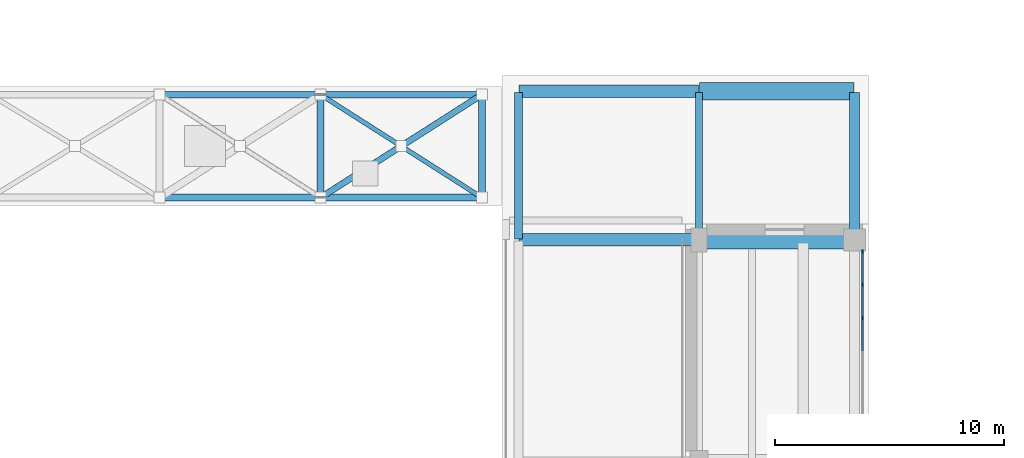
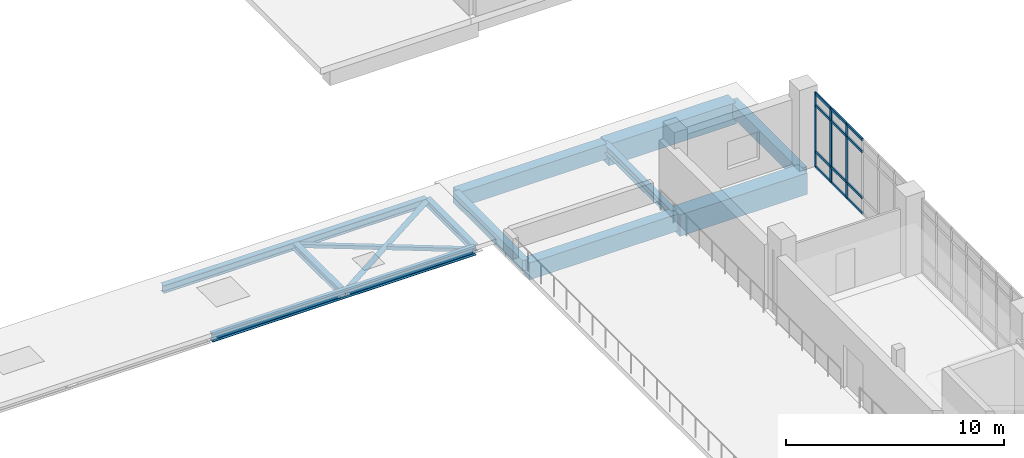
# One storey, part 16 of 75: 18 members, 11 beams, 1 element without a shape of its own.
"""IFC4 building model written with IfcOpenShell, lengths in metres."""

from ifc_helpers import new_model, si_unit, direction, frame, origin, origin_2d, place, context, subcontext, project, spatial, rectangle, hollow_rectangle, hollow_circle, i_section, extrude, material, material_profile, profile_set, type_object, element, aggregate, save


model = new_model("IFC4")

# Units and contexts
model_context = context("Model", 3, precision=1e-05, world=origin(), true_north=direction((0.0, 1.0)))
body_context = subcontext(model_context, "Body", "Model", "MODEL_VIEW")
ifc_project = project(units=[si_unit("LENGTHUNIT", "METRE"), si_unit("AREAUNIT", "SQUARE_METRE"), si_unit("VOLUMEUNIT", "CUBIC_METRE"), si_unit("PLANEANGLEUNIT", "RADIAN"), si_unit("MASSUNIT", "GRAM", prefix="KILO")], contexts=[model_context])

# Site, building, storey
site_placement = place(None, origin())
site = spatial("IfcSite", under=ifc_project, at=site_placement, CompositionType="ELEMENT")
building_placement = place(site_placement, origin())
building = spatial("IfcBuilding", under=site, at=building_placement, Name="Soyqirgoq Riverine Aquarium", CompositionType="ELEMENT")
storey_placement = place(building_placement, frame((0.0, 0.0, 10.199951171875)))
storey = spatial("IfcBuildingStorey", under=building, at=storey_placement, Name="L03", CompositionType="ELEMENT", Elevation=10.199951171875)

# Beams
ifc_material_1 = material(Name="Concrete C40/50", Category="concrete")
ifc_material_profile_1 = material_profile(ifc_material_1, rectangle(XDim=0.35009765625, YDim=0.60009765625, at=origin_2d()), Name="RC 350x600")
ifc_profile_set_1 = profile_set([ifc_material_profile_1], Name="Concrete C40/50")
beam_type_1 = type_object("IfcBeamType", Name="Beam_RC_350x600", PredefinedType="JOIST", material=ifc_profile_set_1)
beam_1_placement = place(storey_placement, frame((114.699951171875, 38.35009765625, -0.579833984375), z_axis=(0.0, 1.0, 0.0), x_axis=(-1.0, 0.0, 0.0)))
element("IfcBeam", 1, at=beam_1_placement, inside=storey, type_object=beam_type_1, Name="V6 L03 North-South Frame Beam 1162", PredefinedType="JOIST", context=body_context, shape_type="SweptSolid", body=[
    extrude(rectangle(XDim=0.35009765625, YDim=0.60009765625, at=origin_2d()), origin(), (0.0, 0.0, 1.0), 6.39990234375),
])
ifc_material_2 = material(Name="Concrete C40/50", Category="concrete")
ifc_material_profile_2 = material_profile(ifc_material_2, rectangle(XDim=0.449951171875, YDim=0.75, at=origin_2d()), Name="RC 450x750")
ifc_profile_set_2 = profile_set([ifc_material_profile_2], Name="Concrete C40/50")
beam_type_2 = type_object("IfcBeamType", Name="Beam_RC_450x750", PredefinedType="BEAM", material=ifc_profile_set_2)
beam_2_placement = place(storey_placement, frame((129.39990234375, 38.35009765625, -0.655029296875), z_axis=(0.0, 1.0, 0.0), x_axis=(-1.0, 0.0, 0.0)))
element("IfcBeam", 2, at=beam_2_placement, inside=storey, type_object=beam_type_2, Name="V6 L03 North-South Frame Beam 1179", PredefinedType="BEAM", context=body_context, shape_type="SweptSolid", body=[
    extrude(rectangle(XDim=0.449951171875, YDim=0.75, at=origin_2d()), origin(), (0.0, 0.0, 1.0), 6.39990234375),
])

# Curtain wall, members
ifc_material_3 = material(Name="Anodised aluminium thermally broken gallery curtain wall", Category="aluminium")
curtain_wall_type = type_object("IfcCurtainWallType", Name="CW_Pavilion_Ribbon", PredefinedType="NOTDEFINED", material=ifc_material_3)
curtain_wall_placement = place(storey_placement, origin())
curtain_wall = element("IfcCurtainWall", 3, at=curtain_wall_placement, inside=storey, type_object=curtain_wall_type, Name="V6 L03 Curtain Wall 118", PredefinedType="NOTDEFINED")
ifc_material_4 = material(Name="Anodised aluminium 6063-T6", Category="aluminium")
ifc_material_profile_3 = material_profile(ifc_material_4, rectangle(XDim=0.06494140625, YDim=0.179931640625, at=origin_2d()), Name="ALU-M 65x180")
ifc_profile_set_3 = profile_set([ifc_material_profile_3], Name="Anodised aluminium 6063-T6")
member_type_1 = type_object("IfcMemberType", Name="CWMullion_65x180", PredefinedType="MULLION", material=ifc_profile_set_3)
member_1_placement = place(storey_placement, frame((129.75, 37.7724609375, 0.0), z_axis=(0.0, 0.0, 1.0), x_axis=(1.0, 0.0, 0.0)))
member_1 = element("IfcMember", 4, at=member_1_placement, type_object=member_type_1, Name="CW-05 mullion 1", PredefinedType="MULLION", context=body_context, shape_type="SweptSolid", body=[
    extrude(rectangle(XDim=0.06494140625, YDim=0.179931640625, at=origin_2d()), origin(), (0.0, 0.0, 1.0), 4.18994140625),
])
member_2_placement = place(storey_placement, frame((129.75, 36.3408203125, 0.0), z_axis=(0.0, 0.0, 1.0), x_axis=(1.0, 0.0, 0.0)))
member_2 = element("IfcMember", 5, at=member_2_placement, type_object=member_type_1, Name="CW-05 mullion 2", PredefinedType="MULLION", context=body_context, shape_type="SweptSolid", body=[
    extrude(rectangle(XDim=0.06494140625, YDim=0.179931640625, at=origin_2d()), origin(), (0.0, 0.0, 1.0), 4.18994140625),
])
member_3_placement = place(storey_placement, frame((129.75, 34.876708984375, 0.0), z_axis=(0.0, 0.0, 1.0), x_axis=(1.0, 0.0, 0.0)))
member_3 = element("IfcMember", 6, at=member_3_placement, type_object=member_type_1, Name="CW-05 mullion 3", PredefinedType="MULLION", context=body_context, shape_type="SweptSolid", body=[
    extrude(rectangle(XDim=0.06494140625, YDim=0.179931640625, at=origin_2d()), origin(), (0.0, 0.0, 1.0), 4.18994140625),
])
ifc_material_5 = material(Name="Anodised aluminium 6063-T6", Category="aluminium")
ifc_material_profile_4 = material_profile(ifc_material_5, rectangle(XDim=0.074951171875, YDim=0.14990234375, at=origin_2d()), Name="ALU-T 75x150")
ifc_profile_set_4 = profile_set([ifc_material_profile_4], Name="Anodised aluminium 6063-T6")
member_type_2 = type_object("IfcMemberType", Name="CWTransom_75x150", PredefinedType="USERDEFINED", material=ifc_profile_set_4)
member_4_placement = place(storey_placement, frame((129.75, 37.739990234375, 0.03759765625), z_axis=(0.0, -1.0, 0.0), x_axis=(1.0, 0.0, 0.0)))
member_4 = element("IfcMember", 7, at=member_4_placement, type_object=member_type_2, Name="CW-05 transom 1.1", ObjectType="TRANSOM", PredefinedType="USERDEFINED", context=body_context, shape_type="SweptSolid", body=[
    extrude(rectangle(XDim=0.074951171875, YDim=0.14990234375, at=origin_2d()), origin(), (0.0, 0.0, 1.0), 1.36669921875),
])
member_5_placement = place(storey_placement, frame((129.75, 37.739990234375, 0.900146484375), z_axis=(0.0, -1.0, 0.0), x_axis=(1.0, 0.0, 0.0)))
member_5 = element("IfcMember", 8, at=member_5_placement, type_object=member_type_2, Name="CW-05 transom 1.2", ObjectType="TRANSOM", PredefinedType="USERDEFINED", context=body_context, shape_type="SweptSolid", body=[
    extrude(rectangle(XDim=0.074951171875, YDim=0.14990234375, at=origin_2d()), origin(), (0.0, 0.0, 1.0), 1.36669921875),
])
member_6_placement = place(storey_placement, frame((129.75, 37.739990234375, 3.489990234375), z_axis=(0.0, -1.0, 0.0), x_axis=(1.0, 0.0, 0.0)))
member_6 = element("IfcMember", 9, at=member_6_placement, type_object=member_type_2, Name="CW-05 transom 1.3", ObjectType="TRANSOM", PredefinedType="USERDEFINED", context=body_context, shape_type="SweptSolid", body=[
    extrude(rectangle(XDim=0.074951171875, YDim=0.14990234375, at=origin_2d()), origin(), (0.0, 0.0, 1.0), 1.36669921875),
])
member_7_placement = place(storey_placement, frame((129.75, 37.739990234375, 4.152587890625), z_axis=(0.0, -1.0, 0.0), x_axis=(1.0, 0.0, 0.0)))
member_7 = element("IfcMember", 10, at=member_7_placement, type_object=member_type_2, Name="CW-05 transom 1.4", ObjectType="TRANSOM", PredefinedType="USERDEFINED", context=body_context, shape_type="SweptSolid", body=[
    extrude(rectangle(XDim=0.074951171875, YDim=0.14990234375, at=origin_2d()), origin(), (0.0, 0.0, 1.0), 1.36669921875),
])
member_8_placement = place(storey_placement, frame((129.75, 36.308349609375, 0.03759765625), z_axis=(0.0, -1.0, 0.0), x_axis=(1.0, 0.0, 0.0)))
member_8 = element("IfcMember", 11, at=member_8_placement, type_object=member_type_2, Name="CW-05 transom 2.1", ObjectType="TRANSOM", PredefinedType="USERDEFINED", context=body_context, shape_type="SweptSolid", body=[
    extrude(rectangle(XDim=0.074951171875, YDim=0.14990234375, at=origin_2d()), origin(), (0.0, 0.0, 1.0), 1.399169921875),
])
member_9_placement = place(storey_placement, frame((129.75, 36.308349609375, 0.900146484375), z_axis=(0.0, -1.0, 0.0), x_axis=(1.0, 0.0, 0.0)))
member_9 = element("IfcMember", 12, at=member_9_placement, type_object=member_type_2, Name="CW-05 transom 2.2", ObjectType="TRANSOM", PredefinedType="USERDEFINED", context=body_context, shape_type="SweptSolid", body=[
    extrude(rectangle(XDim=0.074951171875, YDim=0.14990234375, at=origin_2d()), origin(), (0.0, 0.0, 1.0), 1.399169921875),
])
member_10_placement = place(storey_placement, frame((129.75, 36.308349609375, 3.489990234375), z_axis=(0.0, -1.0, 0.0), x_axis=(1.0, 0.0, 0.0)))
member_10 = element("IfcMember", 13, at=member_10_placement, type_object=member_type_2, Name="CW-05 transom 2.3", ObjectType="TRANSOM", PredefinedType="USERDEFINED", context=body_context, shape_type="SweptSolid", body=[
    extrude(rectangle(XDim=0.074951171875, YDim=0.14990234375, at=origin_2d()), origin(), (0.0, 0.0, 1.0), 1.399169921875),
])
member_11_placement = place(storey_placement, frame((129.75, 36.308349609375, 4.152587890625), z_axis=(0.0, -1.0, 0.0), x_axis=(1.0, 0.0, 0.0)))
member_11 = element("IfcMember", 14, at=member_11_placement, type_object=member_type_2, Name="CW-05 transom 2.4", ObjectType="TRANSOM", PredefinedType="USERDEFINED", context=body_context, shape_type="SweptSolid", body=[
    extrude(rectangle(XDim=0.074951171875, YDim=0.14990234375, at=origin_2d()), origin(), (0.0, 0.0, 1.0), 1.399169921875),
])
member_12_placement = place(storey_placement, frame((129.75, 34.84423828125, 0.03759765625), z_axis=(0.0, -1.0, 0.0), x_axis=(1.0, 0.0, 0.0)))
member_12 = element("IfcMember", 15, at=member_12_placement, type_object=member_type_2, Name="CW-05 transom 3.1", ObjectType="TRANSOM", PredefinedType="USERDEFINED", context=body_context, shape_type="SweptSolid", body=[
    extrude(rectangle(XDim=0.074951171875, YDim=0.14990234375, at=origin_2d()), origin(), (0.0, 0.0, 1.0), 1.399169921875),
])
member_13_placement = place(storey_placement, frame((129.75, 34.84423828125, 0.900146484375), z_axis=(0.0, -1.0, 0.0), x_axis=(1.0, 0.0, 0.0)))
member_13 = element("IfcMember", 16, at=member_13_placement, type_object=member_type_2, Name="CW-05 transom 3.2", ObjectType="TRANSOM", PredefinedType="USERDEFINED", context=body_context, shape_type="SweptSolid", body=[
    extrude(rectangle(XDim=0.074951171875, YDim=0.14990234375, at=origin_2d()), origin(), (0.0, 0.0, 1.0), 1.399169921875),
])
member_14_placement = place(storey_placement, frame((129.75, 34.84423828125, 3.489990234375), z_axis=(0.0, -1.0, 0.0), x_axis=(1.0, 0.0, 0.0)))
member_14 = element("IfcMember", 17, at=member_14_placement, type_object=member_type_2, Name="CW-05 transom 3.3", ObjectType="TRANSOM", PredefinedType="USERDEFINED", context=body_context, shape_type="SweptSolid", body=[
    extrude(rectangle(XDim=0.074951171875, YDim=0.14990234375, at=origin_2d()), origin(), (0.0, 0.0, 1.0), 1.399169921875),
])
member_15_placement = place(storey_placement, frame((129.75, 34.84423828125, 4.152587890625), z_axis=(0.0, -1.0, 0.0), x_axis=(1.0, 0.0, 0.0)))
member_15 = element("IfcMember", 18, at=member_15_placement, type_object=member_type_2, Name="CW-05 transom 3.4", ObjectType="TRANSOM", PredefinedType="USERDEFINED", context=body_context, shape_type="SweptSolid", body=[
    extrude(rectangle(XDim=0.074951171875, YDim=0.14990234375, at=origin_2d()), origin(), (0.0, 0.0, 1.0), 1.399169921875),
])
aggregate(curtain_wall, [member_1, member_2, member_3, member_4, member_5, member_6, member_7, member_8, member_9, member_10, member_11, member_12, member_13, member_14, member_15])

# Member
ifc_material_6 = material(Name="Structural steel S355", Category="steel")
ifc_material_profile_5 = material_profile(ifc_material_6, hollow_circle(Radius=0.136474609375, WallThickness=0.012451171875, at=origin_2d()), Name="CHS 273x12.5")
ifc_profile_set_5 = profile_set([ifc_material_profile_5], Name="Structural steel S355")
member_type_3 = type_object("IfcMemberType", Name="Diag_CHS273", PredefinedType="RAFTER", material=ifc_profile_set_5)
member_16_placement = place(storey_placement, frame((106.050048828125, 40.14990234375, -0.22998046875), z_axis=(0.842923899579, 0.538032805244, 0.0), x_axis=(-0.538032805244, 0.842923899579, 0.0)))
element("IfcMember", 19, at=member_16_placement, inside=storey, type_object=member_type_3, Name="BR-1 Roof Diaphragm Continuous X-Brace 0016", PredefinedType="RAFTER", context=body_context, shape_type="SweptSolid", body=[
    extrude(hollow_circle(Radius=0.136474609375, WallThickness=0.012451171875, at=origin_2d()), origin(), (0.0, 0.0, 1.0), 8.36376953125),
])

# Beams
ifc_material_7 = material(Name="Concrete C40/50", Category="concrete")
ifc_material_profile_6 = material_profile(ifc_material_7, rectangle(XDim=0.550048828125, YDim=0.85009765625, at=origin_2d()), Name="RC 550x850")
ifc_profile_set_6 = profile_set([ifc_material_profile_6], Name="Concrete C40/50")
beam_type_3 = type_object("IfcBeamType", Name="Girder_RC_550x850", PredefinedType="BEAM", material=ifc_profile_set_6)
beam_3_placement = place(storey_placement, frame((114.719970703125, 44.800048828125, -0.704833984375), z_axis=(1.0, 0.0, 0.0), x_axis=(0.0, 1.0, 0.0)))
element("IfcBeam", 20, at=beam_3_placement, inside=storey, type_object=beam_type_3, Name="V6 L03 East-West Frame Girder 1164", PredefinedType="BEAM", context=body_context, shape_type="SweptSolid", body=[
    extrude(rectangle(XDim=0.550048828125, YDim=0.85009765625, at=origin_2d()), origin(), (0.0, 0.0, 1.0), 7.860107421875),
])
ifc_material_8 = material(Name="Concrete C40/50", Category="concrete")
ifc_material_profile_7 = material_profile(ifc_material_8, rectangle(XDim=0.550048828125, YDim=0.949951171875, at=origin_2d()), Name="RC 550x950")
ifc_profile_set_7 = profile_set([ifc_material_profile_7], Name="Concrete C40/50")
beam_type_4 = type_object("IfcBeamType", Name="Girder_RC_550x950", PredefinedType="BEAM", material=ifc_profile_set_7)
beam_4_placement = place(storey_placement, frame((114.719970703125, 38.300048828125, -0.7548828125), z_axis=(1.0, 0.0, 0.0), x_axis=(0.0, 1.0, 0.0)))
element("IfcBeam", 21, at=beam_4_placement, inside=storey, type_object=beam_type_4, Name="V6 L03 East-West Frame Girder 1163", PredefinedType="BEAM", context=body_context, shape_type="SweptSolid", body=[
    extrude(rectangle(XDim=0.550048828125, YDim=0.949951171875, at=origin_2d()), origin(), (0.0, 0.0, 1.0), 7.860107421875),
])
ifc_material_9 = material(Name="Concrete C40/50", Category="concrete")
ifc_material_profile_8 = material_profile(ifc_material_9, rectangle(XDim=0.75, YDim=1.199951171875, at=origin_2d()), Name="RC 750x1200")
ifc_profile_set_8 = profile_set([ifc_material_profile_8], Name="Concrete C40/50")
beam_type_5 = type_object("IfcBeamType", Name="Girder_RC_750x1200", PredefinedType="BEAM", material=ifc_profile_set_8)
beam_5_placement = place(storey_placement, frame((122.6201171875, 44.800048828125, -0.8798828125), z_axis=(1.0, 0.0, 0.0), x_axis=(0.0, 1.0, 0.0)))
element("IfcBeam", 22, at=beam_5_placement, inside=storey, type_object=beam_type_5, Name="V6 L03 East-West Frame Girder 1174", PredefinedType="BEAM", context=body_context, shape_type="SweptSolid", body=[
    extrude(rectangle(XDim=0.75, YDim=1.199951171875, at=origin_2d()), origin(), (0.0, 0.0, 1.0), 6.759765625),
])
ifc_material_10 = material(Name="Concrete C40/50", Category="concrete")
ifc_material_profile_9 = material_profile(ifc_material_10, rectangle(XDim=0.800048828125, YDim=1.199951171875, at=origin_2d()), Name="RC 800x1200")
ifc_profile_set_9 = profile_set([ifc_material_profile_9], Name="Concrete C40/50")
beam_type_6 = type_object("IfcBeamType", Name="Girder_RC_800x1200", PredefinedType="BEAM", material=ifc_profile_set_9)
beam_6_placement = place(storey_placement, frame((122.6201171875, 38.300048828125, -0.8798828125), z_axis=(1.0, 0.0, 0.0), x_axis=(0.0, 1.0, 0.0)))
element("IfcBeam", 23, at=beam_6_placement, inside=storey, type_object=beam_type_6, Name="V6 L03 East-West Frame Girder 1173", PredefinedType="BEAM", context=body_context, shape_type="SweptSolid", body=[
    extrude(rectangle(XDim=0.800048828125, YDim=1.199951171875, at=origin_2d()), origin(), (0.0, 0.0, 1.0), 6.759765625),
])
ifc_material_11 = material(Name="Structural steel S355", Category="steel")
ifc_material_profile_10 = material_profile(ifc_material_11, i_section(OverallWidth=0.300048828125, OverallDepth=0.389892578125, WebThickness=0.010986328125, FlangeThickness=0.01904296875, FilletRadius=0.027099609375, at=origin_2d()), Name="HEA 400")
ifc_profile_set_10 = profile_set([ifc_material_profile_10], Name="Structural steel S355")
beam_type_7 = type_object("IfcBeamType", Name="SteelBeam_HEA400", PredefinedType="BEAM", material=ifc_profile_set_10)
for number, where, z_axis, x_axis, name in (
    (24, (106.050048828125, 40.199951171875, -0.195068359375), (0.0, 1.0, 0.0), (-1.0, 0.0, 0.0), "BR-1 L03 Bridge Mid-Bay Roof Tie 1441"),
    (25, (113.10009765625, 40.199951171875, -0.195068359375), (0.0, 1.0, 0.0), (-1.0, 0.0, 0.0), "BR-1 L03 Bridge Roof Cross Beam 1449"),
):
    element("IfcBeam", number, at=place(storey_placement, frame(where, z_axis=z_axis, x_axis=x_axis)), inside=storey, type_object=beam_type_7, Name=name, PredefinedType="BEAM", context=body_context, shape_type="SweptSolid", body=[
        extrude(i_section(OverallWidth=0.300048828125, OverallDepth=0.389892578125, WebThickness=0.010986328125, FlangeThickness=0.01904296875, FilletRadius=0.027099609375, at=origin_2d()), origin(), (0.0, 0.0, 1.0), 4.400146484375),
    ])
ifc_material_12 = material(Name="Structural steel S355", Category="steel")
ifc_material_profile_11 = material_profile(ifc_material_12, i_section(OverallWidth=0.300048828125, OverallDepth=0.43994140625, WebThickness=0.011474609375, FlangeThickness=0.02099609375, FilletRadius=0.027099609375, at=origin_2d()), Name="HEA 450")
ifc_profile_set_11 = profile_set([ifc_material_profile_11], Name="Structural steel S355")
beam_type_8 = type_object("IfcBeamType", Name="SteelBeam_HEA450", PredefinedType="BEAM", material=ifc_profile_set_11)
for number, where, z_axis, x_axis, name in (
    (26, (99.050048828125, 40.14990234375, -0.219970703125), (1.0, 0.0, 0.0), (0.0, 1.0, 0.0), "BR-1 L03 Bridge Roof Chord Beam 1432"),
    (27, (99.050048828125, 44.64990234375, -0.219970703125), (1.0, 0.0, 0.0), (0.0, 1.0, 0.0), "BR-1 L03 Bridge Roof Chord Beam 1438"),
):
    element("IfcBeam", number, at=place(storey_placement, frame(where, z_axis=z_axis, x_axis=x_axis)), inside=storey, type_object=beam_type_8, Name=name, PredefinedType="BEAM", context=body_context, shape_type="SweptSolid", body=[
        extrude(i_section(OverallWidth=0.300048828125, OverallDepth=0.43994140625, WebThickness=0.011474609375, FlangeThickness=0.02099609375, FilletRadius=0.027099609375, at=origin_2d()), origin(), (0.0, 0.0, 1.0), 14.0),
    ])
ifc_material_13 = material(Name="Structural steel S355", Category="steel")
ifc_material_profile_12 = material_profile(ifc_material_13, i_section(OverallWidth=0.300048828125, OverallDepth=0.489990234375, WebThickness=0.011962890625, FlangeThickness=0.02294921875, FilletRadius=0.027099609375, at=origin_2d()), Name="HEA 500")
ifc_profile_set_12 = profile_set([ifc_material_profile_12], Name="Structural steel S355")
beam_type_9 = type_object("IfcBeamType", Name="SteelBeam_HEA500", PredefinedType="BEAM", material=ifc_profile_set_12)
beam_7_placement = place(storey_placement, frame((122.60009765625, 38.35009765625, -0.52490234375), z_axis=(0.0, 1.0, 0.0), x_axis=(-1.0, 0.0, 0.0)))
element("IfcBeam", 28, at=beam_7_placement, inside=storey, type_object=beam_type_9, Name="V6 L03 North-South Frame Beam 1172", PredefinedType="BEAM", context=body_context, shape_type="SweptSolid", body=[
    extrude(i_section(OverallWidth=0.300048828125, OverallDepth=0.489990234375, WebThickness=0.011962890625, FlangeThickness=0.02294921875, FilletRadius=0.027099609375, at=origin_2d()), origin(), (0.0, 0.0, 1.0), 6.39990234375),
])

# Members
ifc_material_14 = material(Name="Structural steel S355", Category="steel")
ifc_material_profile_13 = material_profile(ifc_material_14, hollow_rectangle(XDim=0.199951171875, YDim=0.199951171875, WallThickness=0.011962890625, at=origin_2d()), Name="SHS 200x200x12")
ifc_profile_set_13 = profile_set([ifc_material_profile_13], Name="Structural steel S355")
member_type_4 = type_object("IfcMemberType", Name="Strut_SHS200", PredefinedType="STRUT", material=ifc_profile_set_13)
for number, where, z_axis, x_axis, name in (
    (29, (106.050048828125, 44.64990234375, -0.22998046875), (0.842915449323, -0.53804604384, 0.0), (0.53804604384, 0.842915449323, 0.0), "BR-1 Roof Diaphragm Split X-Brace 0017"),
    (30, (109.574951171875, 42.39990234375, -0.22998046875), (0.84293234921, -0.538019567167, 0.0), (0.538019567167, 0.84293234921, 0.0), "BR-1 Roof Diaphragm Split X-Brace 0018"),
):
    element("IfcMember", number, at=place(storey_placement, frame(where, z_axis=z_axis, x_axis=x_axis)), inside=storey, type_object=member_type_4, Name=name, PredefinedType="STRUT", context=body_context, shape_type="SweptSolid", body=[
        extrude(hollow_rectangle(XDim=0.199951171875, YDim=0.199951171875, WallThickness=0.011962890625, at=origin_2d()), origin(), (0.0, 0.0, 1.0), 4.181884765625),
    ])

save(model, "model.ifc")
